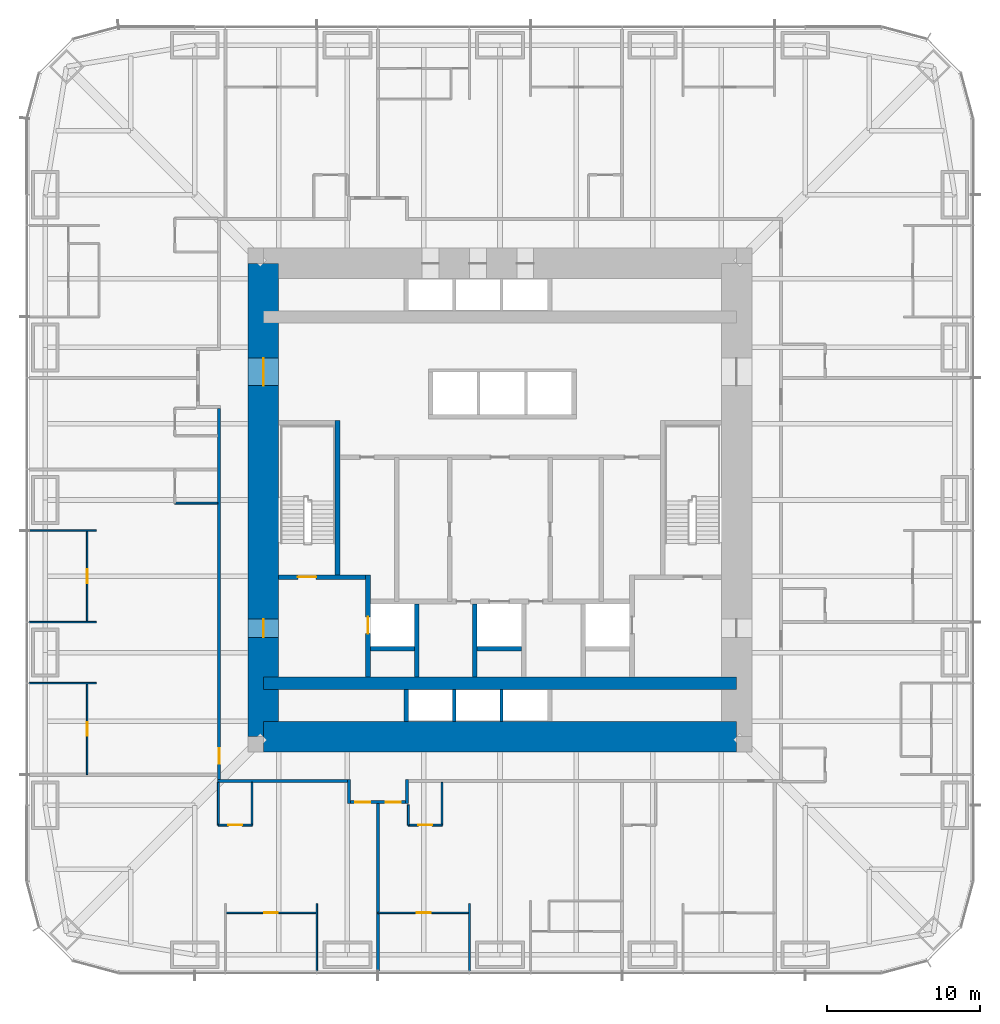
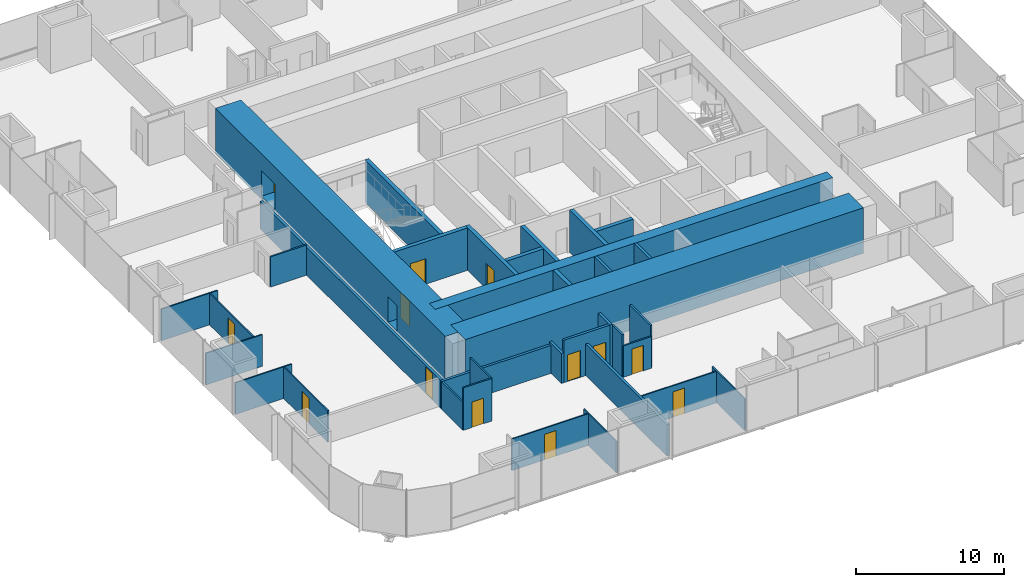
# One storey, part 12 of 17: 35 walls, 13 doors, 13 openings.
"""IFC4 building model written with IfcOpenShell, lengths in metres."""

from ifc_helpers import new_model, si_unit, direction, frame, frame_2d, origin, place, context, subcontext, project, spatial, rectangle, extrude, material, layer, layer_set, type_object, element, fill, save


model = new_model("IFC4")

# Units and contexts
model_context = context("Model", 3, precision=1e-05, world=origin(), true_north=direction((0.0, 1.0)))
body_context = subcontext(model_context, "Body", "Model", "MODEL_VIEW")
ifc_project = project(units=[si_unit("LENGTHUNIT", "METRE"), si_unit("AREAUNIT", "SQUARE_METRE"), si_unit("VOLUMEUNIT", "CUBIC_METRE"), si_unit("PLANEANGLEUNIT", "RADIAN"), si_unit("MASSUNIT", "GRAM", prefix="KILO")], contexts=[model_context])

# Site, building, storey
site_placement = place(None, origin())
site = spatial("IfcSite", under=ifc_project, at=site_placement, CompositionType="ELEMENT")
building_placement = place(site_placement, origin())
building = spatial("IfcBuilding", under=site, at=building_placement, Name="Khuree Lantern Residences", CompositionType="ELEMENT")
storey_placement = place(building_placement, frame((0.0, 0.0, 92.25)))
storey = spatial("IfcBuildingStorey", under=building, at=storey_placement, Name="L23", CompositionType="ELEMENT", Elevation=92.25)

# Wall
ifc_material_1 = material(Name="Moisture-resistant gypsum board on steel studs", Category="steel")
ifc_layer_1 = layer(ifc_material_1, 0.125)
ifc_layer_set_1 = layer_set([ifc_layer_1], Name="BATHROOM WALL BTW125")
wall_type_1 = type_object("IfcWallType", Name="BATHROOM WALL BTW125", PredefinedType="PARTITIONING", material=ifc_layer_set_1)
wall_1_placement = place(storey_placement, frame((-18.5, -0.199951171875, 0.0), z_axis=(0.0, 0.0, 1.0), x_axis=(-1.0, 0.0, 0.0)))
element("IfcWall", 1, at=wall_1_placement, inside=storey, type_object=wall_type_1, Name="L23 BATHROOM WALL 07", PredefinedType="PARTITIONING", context=body_context, shape_type="SweptSolid", body=[
    extrude(rectangle(XDim=2.800048828125, YDim=0.125, at=frame_2d((1.39990234375, 0.0))), origin(), (0.0, 0.0, 1.0), 2.491943359375),
])

# Wall, opening, door
wall_2_placement = place(storey_placement, frame((-18.449951171875, -21.300048828125, 0.0), z_axis=(0.0, 0.0, 1.0), x_axis=(1.0, 0.0, 0.0)))
wall_2 = element("IfcWall", 2, at=wall_2_placement, inside=storey, type_object=wall_type_1, Name="L23 BATHROOM WALL 08", PredefinedType="PARTITIONING", context=body_context, shape_type="SweptSolid", body=[
    extrude(rectangle(XDim=2.199951171875, YDim=0.125, at=frame_2d((1.10009765625, 0.0))), origin(), (0.0, 0.0, 1.0), 3.5),
])
opening_1_placement = place(wall_2_placement, frame((0.64990234375, 0.0, 0.0)))
opening_1 = element("IfcOpeningElement", 3, at=opening_1_placement, cuts=wall_2, Name="Opening 23-046", PredefinedType="OPENING", context=body_context, shape_type="SweptSolid", body=[
    extrude(rectangle(XDim=0.89990234375, YDim=2.10009765625, at=frame_2d((0.449951171875, 1.050048828125))), frame((0.0, 0.072509765625, 0.0), z_axis=(0.0, -1.0, 0.0), x_axis=(1.0, 0.0, 0.0)), (0.0, 0.0, 1.0), 0.14501953125),
])
ifc_material_2 = material(Name="Timber door leaf in hardwood frame", Category="wood")
door_type_1 = type_object("IfcDoorType", Name="BATHROOM DOOR 900X2100", OperationType="SINGLE_SWING_LEFT", PredefinedType="DOOR", material=ifc_material_2)
door_1_placement = place(opening_1_placement, origin())
door_1 = element("IfcDoor", 4, at=door_1_placement, inside=storey, type_object=door_type_1, Name="Bathroom door 23-046", OperationType="SINGLE_SWING_LEFT", OverallHeight=2.10009765625, OverallWidth=0.89990234375, PredefinedType="DOOR", context=body_context, shape_type="SweptSolid", body=[
    extrude(rectangle(XDim=0.89990234375, YDim=2.10009765625, at=frame_2d((0.449951171875, 1.050048828125))), frame((0.0, 0.02490234375, 0.0), z_axis=(0.0, -1.0, 0.0), x_axis=(1.0, 0.0, 0.0)), (0.0, 0.0, 1.0), 0.050048828125),
])
fill(opening_1, door_1)

# Walls
wall_3_placement = place(storey_placement, frame((-18.449951171875, -18.5, 0.0), z_axis=(0.0, 0.0, 1.0), x_axis=(0.0, -1.0, 0.0)))
element("IfcWall", 5, at=wall_3_placement, inside=storey, type_object=wall_type_1, Name="L23 BATHROOM WALL 08", PredefinedType="PARTITIONING", context=body_context, shape_type="SweptSolid", body=[
    extrude(rectangle(XDim=2.800048828125, YDim=0.125, at=frame_2d((1.39990234375, 0.0))), origin(), (0.0, 0.0, 1.0), 2.300048828125),
])
wall_4_placement = place(storey_placement, frame((-16.25, -18.5, 0.0), z_axis=(0.0, 0.0, 1.0), x_axis=(0.0, -1.0, 0.0)))
element("IfcWall", 6, at=wall_4_placement, inside=storey, type_object=wall_type_1, Name="L23 BATHROOM WALL 08", PredefinedType="PARTITIONING", context=body_context, shape_type="SweptSolid", body=[
    extrude(rectangle(XDim=2.800048828125, YDim=0.125, at=frame_2d((1.39990234375, 0.0))), origin(), (0.0, 0.0, 1.0), 3.5),
])

# Wall, opening, door
wall_5_placement = place(storey_placement, frame((-6.0, -21.300048828125, 0.0), z_axis=(0.0, 0.0, 1.0), x_axis=(1.0, 0.0, 0.0)))
wall_5 = element("IfcWall", 7, at=wall_5_placement, inside=storey, type_object=wall_type_1, Name="L23 BATHROOM WALL 09", PredefinedType="PARTITIONING", context=body_context, shape_type="SweptSolid", body=[
    extrude(rectangle(XDim=2.199951171875, YDim=0.125, at=frame_2d((1.10009765625, 0.0))), origin(), (0.0, 0.0, 1.0), 2.60009765625),
])
opening_2_placement = place(wall_5_placement, frame((0.64990234375, 0.0, 0.0)))
opening_2 = element("IfcOpeningElement", 8, at=opening_2_placement, cuts=wall_5, Name="Opening 23-051", PredefinedType="OPENING", context=body_context, shape_type="SweptSolid", body=[
    extrude(rectangle(XDim=0.89990234375, YDim=2.10009765625, at=frame_2d((0.449951171875, 1.050048828125))), frame((0.0, 0.072509765625, 0.0), z_axis=(0.0, -1.0, 0.0), x_axis=(1.0, 0.0, 0.0)), (0.0, 0.0, 1.0), 0.14501953125),
])
door_2_placement = place(opening_2_placement, origin())
door_2 = element("IfcDoor", 9, at=door_2_placement, inside=storey, type_object=door_type_1, Name="Bathroom door 23-051", OperationType="SINGLE_SWING_LEFT", OverallHeight=2.10009765625, OverallWidth=0.89990234375, PredefinedType="DOOR", context=body_context, shape_type="SweptSolid", body=[
    extrude(rectangle(XDim=0.89990234375, YDim=2.10009765625, at=frame_2d((0.449951171875, 1.050048828125))), frame((0.0, 0.02490234375, 0.0), z_axis=(0.0, -1.0, 0.0), x_axis=(1.0, 0.0, 0.0)), (0.0, 0.0, 1.0), 0.050048828125),
])
fill(opening_2, door_2)

# Walls
wall_6_placement = place(storey_placement, frame((-6.0, -19.969970703125, 0.0), z_axis=(0.0, 0.0, 1.0), x_axis=(0.0, -1.0, 0.0)))
element("IfcWall", 10, at=wall_6_placement, inside=storey, type_object=wall_type_1, Name="L23 BATHROOM WALL 09", PredefinedType="PARTITIONING", context=body_context, shape_type="SweptSolid", body=[
    extrude(rectangle(XDim=1.330078125, YDim=0.125, at=frame_2d((0.6650390625, 0.0))), origin(), (0.0, 0.0, 1.0), 3.5),
])
wall_7_placement = place(storey_placement, frame((-3.800048828125, -18.5, 0.0), z_axis=(0.0, 0.0, 1.0), x_axis=(0.0, -1.0, 0.0)))
element("IfcWall", 11, at=wall_7_placement, inside=storey, type_object=wall_type_1, Name="L23 BATHROOM WALL 09", PredefinedType="PARTITIONING", context=body_context, shape_type="SweptSolid", body=[
    extrude(rectangle(XDim=2.800048828125, YDim=0.125, at=frame_2d((1.39990234375, 0.0))), origin(), (0.0, 0.0, 1.0), 3.5),
])

# Wall, opening, door
ifc_material_3 = material(Name="Dense concrete blockwork", Category="masonry")
ifc_layer_2 = layer(ifc_material_3, 0.300048828125)
ifc_layer_set_2 = layer_set([ifc_layer_2], Name="CORE PARTITION WALL CPW300 EI 120")
wall_type_2 = type_object("IfcWallType", Name="CORE PARTITION WALL CPW300 EI 120", PredefinedType="PARTITIONING", material=ifc_layer_set_2)
wall_8_placement = place(storey_placement, frame((-8.64990234375, -11.60009765625, 0.0), z_axis=(0.0, 0.0, 1.0), x_axis=(0.0, 1.0, 0.0)))
wall_8 = element("IfcWall", 12, at=wall_8_placement, inside=storey, type_object=wall_type_2, Name="L23 CORE WALL FL1W", PredefinedType="PARTITIONING", context=body_context, shape_type="SweptSolid", body=[
    extrude(rectangle(XDim=6.7001953125, YDim=0.300048828125, at=frame_2d((3.35009765625, 0.0))), origin(), (0.0, 0.0, 1.0), 3.5),
])
opening_3_placement = place(wall_8_placement, frame((2.85009765625, 0.0, 0.0)))
opening_3 = element("IfcOpeningElement", 13, at=opening_3_placement, cuts=wall_8, Name="Opening 23-007", PredefinedType="OPENING", context=body_context, shape_type="SweptSolid", body=[
    extrude(rectangle(XDim=1.10009765625, YDim=2.10009765625, at=frame_2d((0.550048828125, 1.050048828125))), frame((0.0, 0.16015625, 0.0), z_axis=(0.0, -1.0, 0.0), x_axis=(1.0, 0.0, 0.0)), (0.0, 0.0, 1.0), 0.320068359375),
])
ifc_material_4 = material(Name="Stainless steel lift landing door", Category="steel")
door_type_2 = type_object("IfcDoorType", Name="LIFT LANDING DOOR 1100X2100 E 120", OperationType="DOUBLE_DOOR_SLIDING", PredefinedType="DOOR", material=ifc_material_4)
door_3_placement = place(opening_3_placement, origin())
door_3 = element("IfcDoor", 14, at=door_3_placement, inside=storey, type_object=door_type_2, Name="Landing door FL1 23-007", OperationType="DOUBLE_DOOR_SLIDING", OverallHeight=2.10009765625, OverallWidth=1.10009765625, PredefinedType="DOOR", context=body_context, shape_type="SweptSolid", body=[
    extrude(rectangle(XDim=1.10009765625, YDim=2.10009765625, at=frame_2d((0.550048828125, 1.050048828125))), frame((0.0, 0.02490234375, 0.0), z_axis=(0.0, -1.0, 0.0), x_axis=(1.0, 0.0, 0.0)), (0.0, 0.0, 1.0), 0.050048828125),
])
fill(opening_3, door_3)

# Walls
for number, where, z_axis, x_axis, name in (
    (15, (-5.449951171875, -11.60009765625, 0.0), (0.0, 0.0, 1.0), (0.0, 1.0, 0.0), "L23 CORE WALL FL1E"),
    (16, (-1.64990234375, -11.60009765625, 0.0), (0.0, 0.0, 1.0), (0.0, 1.0, 0.0), "L23 CORE WALL SL1W"),
):
    element("IfcWall", number, at=place(storey_placement, frame(where, z_axis=z_axis, x_axis=x_axis)), inside=storey, type_object=wall_type_2, Name=name, PredefinedType="PARTITIONING", context=body_context, shape_type="SweptSolid", body=[
        extrude(rectangle(XDim=4.800048828125, YDim=0.300048828125, at=frame_2d((2.39990234375, 0.0))), origin(), (0.0, 0.0, 1.0), 3.5),
    ])
for number, where, z_axis, x_axis, name in (
    (17, (-8.5, -9.75, 0.0), (0.0, 0.0, 1.0), (1.0, 0.0, 0.0), "L23 CORE WALL FL1S"),
    (18, (-1.5, -9.75, 0.0), (0.0, 0.0, 1.0), (1.0, 0.0, 0.0), "L23 CORE WALL SL1S"),
):
    element("IfcWall", number, at=place(storey_placement, frame(where, z_axis=z_axis, x_axis=x_axis)), inside=storey, type_object=wall_type_2, Name=name, PredefinedType="PARTITIONING", context=body_context, shape_type="SweptSolid", body=[
        extrude(rectangle(XDim=2.89990234375, YDim=0.300048828125, at=frame_2d((1.449951171875, 0.0))), origin(), (0.0, 0.0, 1.0), 3.5),
    ])
wall_9_placement = place(storey_placement, frame((-6.14990234375, -14.5, 0.0), z_axis=(0.0, 0.0, 1.0), x_axis=(0.0, 1.0, 0.0)))
element("IfcWall", 19, at=wall_9_placement, inside=storey, type_object=wall_type_2, Name="L23 CORE WALL PMW", PredefinedType="PARTITIONING", context=body_context, shape_type="SweptSolid", body=[
    extrude(rectangle(XDim=2.10009765625, YDim=0.300048828125, at=frame_2d((1.050048828125, 0.0))), origin(), (0.0, 0.0, 1.0), 3.5),
])

# Wall, opening, door
ifc_material_5 = material(Name="Gypsum board on steel studs", Category="steel")
ifc_layer_3 = layer(ifc_material_5, 0.199951171875)
ifc_layer_set_3 = layer_set([ifc_layer_3], Name="CORRIDOR WALL CRW200 EI 60")
wall_type_3 = type_object("IfcWallType", Name="CORRIDOR WALL CRW200 EI 60", PredefinedType="PARTITIONING", material=ifc_layer_set_3)
wall_10_placement = place(storey_placement, frame((-18.39990234375, 6.0, 0.0), z_axis=(0.0, 0.0, 1.0), x_axis=(0.0, -1.0, 0.0)))
wall_10 = element("IfcWall", 20, at=wall_10_placement, inside=storey, type_object=wall_type_3, Name="L23 CORRIDOR WALL WEST 2", PredefinedType="PARTITIONING", context=body_context, shape_type="SweptSolid", body=[
    extrude(rectangle(XDim=24.300048828125, YDim=0.199951171875, at=frame_2d((12.14990234375, 0.0))), origin(), (0.0, 0.0, 1.0), 2.300048828125),
])
opening_4_placement = place(wall_10_placement, frame((22.27001953125, 0.0, 0.0)))
opening_4 = element("IfcOpeningElement", 21, at=opening_4_placement, cuts=wall_10, Name="Opening 23-044", PredefinedType="OPENING", context=body_context, shape_type="SweptSolid", body=[
    extrude(rectangle(XDim=1.0, YDim=2.199951171875, at=frame_2d((0.5, 1.10009765625))), frame((0.0, 0.10986328125, 0.0), z_axis=(0.0, -1.0, 0.0), x_axis=(1.0, 0.0, 0.0)), (0.0, 0.0, 1.0), 0.219970703125),
])
door_type_3 = type_object("IfcDoorType", Name="APARTMENT ENTRANCE DOOR 1000X2200 EI 30S RIGHT HAND", OperationType="SINGLE_SWING_RIGHT", PredefinedType="DOOR", material=ifc_material_2)
door_4_placement = place(opening_4_placement, origin())
door_4 = element("IfcDoor", 22, at=door_4_placement, inside=storey, type_object=door_type_3, Name="Apartment 07 entrance door 23-044", OperationType="SINGLE_SWING_RIGHT", OverallHeight=2.199951171875, OverallWidth=1.0, PredefinedType="DOOR", context=body_context, shape_type="SweptSolid", body=[
    extrude(rectangle(XDim=1.0, YDim=2.199951171875, at=frame_2d((0.5, 1.10009765625))), frame((0.0, 0.02490234375, 0.0), z_axis=(0.0, -1.0, 0.0), x_axis=(1.0, 0.0, 0.0)), (0.0, 0.0, 1.0), 0.050048828125),
])
fill(opening_4, door_4)

# Walls
wall_11_placement = place(storey_placement, frame((-6.10009765625, -18.300048828125, 0.0), z_axis=(0.0, 0.0, 1.0), x_axis=(0.0, -1.0, 0.0)))
element("IfcWall", 23, at=wall_11_placement, inside=storey, type_object=wall_type_3, Name="L23 CORRIDOR ALCOVE WALL SOUTH", PredefinedType="PARTITIONING", context=body_context, shape_type="SweptSolid", body=[
    extrude(rectangle(XDim=1.599853515625, YDim=0.199951171875, at=frame_2d((0.7998046875, 0.0))), origin(), (0.0, 0.0, 1.0), 3.5),
])
wall_12_placement = place(storey_placement, frame((-9.89990234375, -18.300048828125, 0.0), z_axis=(0.0, 0.0, 1.0), x_axis=(0.0, -1.0, 0.0)))
element("IfcWall", 24, at=wall_12_placement, inside=storey, type_object=wall_type_3, Name="L23 CORRIDOR ALCOVE WALL SOUTH", PredefinedType="PARTITIONING", context=body_context, shape_type="SweptSolid", body=[
    extrude(rectangle(XDim=1.599853515625, YDim=0.199951171875, at=frame_2d((0.7998046875, 0.0))), origin(), (0.0, 0.0, 1.0), 2.491943359375),
])

# Wall, openings, doors
wall_13_placement = place(storey_placement, frame((-6.199951171875, -19.800048828125, 0.0), z_axis=(0.0, 0.0, 1.0), x_axis=(-1.0, 0.0, 0.0)))
wall_13 = element("IfcWall", 25, at=wall_13_placement, inside=storey, type_object=wall_type_3, Name="L23 CORRIDOR ALCOVE WALL SOUTH", PredefinedType="PARTITIONING", context=body_context, shape_type="SweptSolid", body=[
    extrude(rectangle(XDim=3.60009765625, YDim=0.199951171875, at=frame_2d((1.800048828125, 0.0))), origin(), (0.0, 0.0, 1.0), 3.5),
])
opening_5_placement = place(wall_13_placement, frame((2.300048828125, 0.0, 0.0)))
opening_5 = element("IfcOpeningElement", 26, at=opening_5_placement, cuts=wall_13, Name="Opening 23-047", PredefinedType="OPENING", context=body_context, shape_type="SweptSolid", body=[
    extrude(rectangle(XDim=1.0, YDim=2.199951171875, at=frame_2d((0.5, 1.10009765625))), frame((0.0, 0.10986328125, 0.0), z_axis=(0.0, -1.0, 0.0), x_axis=(1.0, 0.0, 0.0)), (0.0, 0.0, 1.0), 0.219970703125),
])
opening_6_placement = place(wall_13_placement, frame((0.300048828125, 0.0, 0.0)))
opening_6 = element("IfcOpeningElement", 27, at=opening_6_placement, cuts=wall_13, Name="Opening 23-052", PredefinedType="OPENING", context=body_context, shape_type="SweptSolid", body=[
    extrude(rectangle(XDim=1.0, YDim=2.199951171875, at=frame_2d((0.5, 1.10009765625))), frame((0.0, 0.10986328125, 0.0), z_axis=(0.0, -1.0, 0.0), x_axis=(1.0, 0.0, 0.0)), (0.0, 0.0, 1.0), 0.219970703125),
])
door_type_4 = type_object("IfcDoorType", Name="APARTMENT ENTRANCE DOOR 1000X2200 EI 30S", OperationType="SINGLE_SWING_LEFT", PredefinedType="DOOR", material=ifc_material_2)
door_5_placement = place(opening_5_placement, origin())
door_5 = element("IfcDoor", 28, at=door_5_placement, inside=storey, type_object=door_type_4, Name="Apartment 08 entrance door 23-047", OperationType="SINGLE_SWING_LEFT", OverallHeight=2.199951171875, OverallWidth=1.0, PredefinedType="DOOR", context=body_context, shape_type="SweptSolid", body=[
    extrude(rectangle(XDim=1.0, YDim=2.199951171875, at=frame_2d((0.5, 1.10009765625))), frame((0.0, 0.02490234375, 0.0), z_axis=(0.0, -1.0, 0.0), x_axis=(1.0, 0.0, 0.0)), (0.0, 0.0, 1.0), 0.050048828125),
])
fill(opening_5, door_5)
door_6_placement = place(opening_6_placement, origin())
door_6 = element("IfcDoor", 29, at=door_6_placement, inside=storey, type_object=door_type_4, Name="Apartment 09 entrance door 23-052", OperationType="SINGLE_SWING_LEFT", OverallHeight=2.199951171875, OverallWidth=1.0, PredefinedType="DOOR", context=body_context, shape_type="SweptSolid", body=[
    extrude(rectangle(XDim=1.0, YDim=2.199951171875, at=frame_2d((0.5, 1.10009765625))), frame((0.0, 0.02490234375, 0.0), z_axis=(0.0, -1.0, 0.0), x_axis=(1.0, 0.0, 0.0)), (0.0, 0.0, 1.0), 0.050048828125),
])
fill(opening_6, door_6)

# Walls
wall_14_placement = place(storey_placement, frame((-10.0, -18.39990234375, 0.0), z_axis=(0.0, 0.0, 1.0), x_axis=(-1.0, 0.0, 0.0)))
element("IfcWall", 30, at=wall_14_placement, inside=storey, type_object=wall_type_3, Name="L23 CORRIDOR WALL SOUTH 2", PredefinedType="PARTITIONING", context=body_context, shape_type="SweptSolid", body=[
    extrude(rectangle(XDim=8.5, YDim=0.199951171875, at=frame_2d((4.25, 0.0))), origin(), (0.0, 0.0, 1.0), 2.300048828125),
])
ifc_material_6 = material(Name="Concrete C70/85", Category="concrete")
ifc_layer_4 = layer(ifc_material_6, 2.0)
ifc_layer_set_4 = layer_set([ifc_layer_4], Name="CW2000-C70 CORE WALL C70 2000")
wall_type_4 = type_object("IfcWallType", Name="CW2000-C70 CORE WALL C70 2000", PredefinedType="SHEAR", material=ifc_layer_set_4)
wall_15_placement = place(storey_placement, frame((-15.5, -15.5, -0.25), z_axis=(0.0, 0.0, 1.0), x_axis=(1.0, 0.0, 0.0)))
element("IfcWall", 31, at=wall_15_placement, inside=storey, type_object=wall_type_4, Name="Core wall S", PredefinedType="SHEAR", context=body_context, shape_type="SweptSolid", body=[
    extrude(rectangle(XDim=31.0, YDim=2.0, at=frame_2d((15.5, 0.0))), origin(), (0.0, 0.0, 1.0), 3.75),
])

# Wall, openings, doors
wall_16_placement = place(storey_placement, frame((-15.5, -15.5, -0.25), z_axis=(0.0, 0.0, 1.0), x_axis=(0.0, 1.0, 0.0)))
wall_16 = element("IfcWall", 32, at=wall_16_placement, inside=storey, type_object=wall_type_4, Name="Core wall W", PredefinedType="SHEAR", context=body_context, shape_type="SweptSolid", body=[
    extrude(rectangle(XDim=31.0, YDim=2.0, at=frame_2d((15.5, 0.0))), origin(), (0.0, 0.0, 1.0), 3.75),
])
opening_7_placement = place(wall_16_placement, frame((6.5, 0.0, 0.25)))
opening_7 = element("IfcOpeningElement", 33, at=opening_7_placement, cuts=wall_16, Name="Opening 23-002", PredefinedType="OPENING", context=body_context, shape_type="SweptSolid", body=[
    extrude(rectangle(XDim=1.199951171875, YDim=2.10009765625, at=frame_2d((0.60009765625, 1.050048828125))), frame((0.0, 1.010009765625, 0.0), z_axis=(0.0, -1.0, 0.0), x_axis=(1.0, 0.0, 0.0)), (0.0, 0.0, 1.0), 2.02001953125),
])
opening_8_placement = place(wall_16_placement, frame((23.0, 0.0, 0.25)))
opening_8 = element("IfcOpeningElement", 34, at=opening_8_placement, cuts=wall_16, Name="Opening 23-003", PredefinedType="OPENING", context=body_context, shape_type="SweptSolid", body=[
    extrude(rectangle(XDim=1.800048828125, YDim=2.10009765625, at=frame_2d((0.89990234375, 1.050048828125))), frame((0.0, 1.010009765625, 0.0), z_axis=(0.0, -1.0, 0.0), x_axis=(1.0, 0.0, 0.0)), (0.0, 0.0, 1.0), 2.02001953125),
])
ifc_material_7 = material(Name="Steel door leaf in steel frame", Category="steel")
door_type_5 = type_object("IfcDoorType", Name="LOBBY DOOR 1200X2100 EI 120", OperationType="SINGLE_SWING_LEFT", PredefinedType="DOOR", material=ifc_material_7)
door_7_placement = place(opening_7_placement, origin())
door_7 = element("IfcDoor", 35, at=door_7_placement, inside=storey, type_object=door_type_5, Name="Firefighting lobby door 23-002", OperationType="SINGLE_SWING_LEFT", OverallHeight=2.10009765625, OverallWidth=1.199951171875, PredefinedType="DOOR", context=body_context, shape_type="SweptSolid", body=[
    extrude(rectangle(XDim=1.199951171875, YDim=2.10009765625, at=frame_2d((0.60009765625, 1.050048828125))), frame((0.0, 0.02490234375, 0.0), z_axis=(0.0, -1.0, 0.0), x_axis=(1.0, 0.0, 0.0)), (0.0, 0.0, 1.0), 0.050048828125),
])
fill(opening_7, door_7)
door_type_6 = type_object("IfcDoorType", Name="LOBBY DOUBLE DOOR 1800X2100 EI 60", OperationType="DOUBLE_DOOR_SINGLE_SWING", PredefinedType="DOOR", material=ifc_material_7)
door_8_placement = place(opening_8_placement, origin())
door_8 = element("IfcDoor", 36, at=door_8_placement, inside=storey, type_object=door_type_6, Name="Lift lobby door 23-003", OperationType="DOUBLE_DOOR_SINGLE_SWING", OverallHeight=2.10009765625, OverallWidth=1.800048828125, PredefinedType="DOOR", context=body_context, shape_type="SweptSolid", body=[
    extrude(rectangle(XDim=1.800048828125, YDim=2.10009765625, at=frame_2d((0.89990234375, 1.050048828125))), frame((0.0, 0.02490234375, 0.0), z_axis=(0.0, -1.0, 0.0), x_axis=(1.0, 0.0, 0.0)), (0.0, 0.0, 1.0), 0.050048828125),
])
fill(opening_8, door_8)

# Walls
ifc_layer_5 = layer(ifc_material_5, 0.199951171875)
ifc_layer_set_5 = layer_set([ifc_layer_5], Name="DEMISING WALL DMW200 EI 90")
wall_type_5 = type_object("IfcWallType", Name="DEMISING WALL DMW200 EI 90", PredefinedType="PARTITIONING", material=ifc_layer_set_5)
wall_17_placement = place(storey_placement, frame((-8.0, -19.89990234375, 0.0), z_axis=(0.0, 0.0, 1.0), x_axis=(0.0, -1.0, 0.0)))
element("IfcWall", 37, at=wall_17_placement, inside=storey, type_object=wall_type_5, Name="L23 DEMISING WALL 09", PredefinedType="PARTITIONING", context=body_context, shape_type="SweptSolid", body=[
    extrude(rectangle(XDim=10.9501953125, YDim=0.199951171875, at=frame_2d((5.47509765625, 0.0))), origin(), (0.0, 0.0, 1.0), 2.610107421875),
])
ifc_layer_6 = layer(ifc_material_5, 0.10009765625)
ifc_layer_set_6 = layer_set([ifc_layer_6], Name="PARTITION PT100")
wall_type_6 = type_object("IfcWallType", Name="PARTITION PT100", PredefinedType="PARTITIONING", material=ifc_layer_set_6)
for number, where, z_axis, x_axis, name in (
    (38, (-26.449951171875, -2.0, 0.0), (0.0, 0.0, 1.0), (-1.0, 0.0, 0.0), "L23 PARTITION 07"),
    (39, (-26.449951171875, -8.0, 0.0), (0.0, 0.0, 1.0), (-1.0, 0.0, 0.0), "L23 PARTITION 07"),
    (40, (-26.449951171875, -12.0, 0.0), (0.0, 0.0, 1.0), (-1.0, 0.0, 0.0), "L23 PARTITION 07"),
    (41, (-12.0, -26.449951171875, 0.0), (0.0, 0.0, 1.0), (0.0, -1.0, 0.0), "L23 PARTITION 08"),
    (42, (-2.0, -26.449951171875, 0.0), (0.0, 0.0, 1.0), (0.0, -1.0, 0.0), "L23 PARTITION 09"),
):
    element("IfcWall", number, at=place(storey_placement, frame(where, z_axis=z_axis, x_axis=x_axis)), inside=storey, type_object=wall_type_6, Name=name, PredefinedType="PARTITIONING", context=body_context, shape_type="SweptSolid", body=[
        extrude(rectangle(XDim=4.400146484375, YDim=0.10009765625, at=frame_2d((2.2001953125, 0.0))), origin(), (0.0, 0.0, 1.0), 2.610107421875),
    ])

# Wall, opening, door
wall_18_placement = place(storey_placement, frame((-27.050048828125, -2.0, 0.0), z_axis=(0.0, 0.0, 1.0), x_axis=(0.0, -1.0, 0.0)))
wall_18 = element("IfcWall", 43, at=wall_18_placement, inside=storey, type_object=wall_type_6, Name="L23 PARTITION 07", PredefinedType="PARTITIONING", context=body_context, shape_type="SweptSolid", body=[
    extrude(rectangle(XDim=6.0, YDim=0.10009765625, at=frame_2d((3.0, 0.0))), origin(), (0.0, 0.0, 1.0), 2.60009765625),
])
opening_9_placement = place(wall_18_placement, frame((2.550048828125, 0.0, 0.0)))
opening_9 = element("IfcOpeningElement", 44, at=opening_9_placement, cuts=wall_18, Name="Opening 23-041", PredefinedType="OPENING", context=body_context, shape_type="SweptSolid", body=[
    extrude(rectangle(XDim=0.89990234375, YDim=2.10009765625, at=frame_2d((0.449951171875, 1.050048828125))), frame((0.0, 0.06005859375, 0.0), z_axis=(0.0, -1.0, 0.0), x_axis=(1.0, 0.0, 0.0)), (0.0, 0.0, 1.0), 0.1201171875),
])
door_type_7 = type_object("IfcDoorType", Name="BEDROOM DOOR 900X2100", OperationType="SINGLE_SWING_LEFT", PredefinedType="DOOR", material=ifc_material_2)
door_9_placement = place(opening_9_placement, origin())
door_9 = element("IfcDoor", 45, at=door_9_placement, inside=storey, type_object=door_type_7, Name="Bedroom door 23-041", OperationType="SINGLE_SWING_LEFT", OverallHeight=2.10009765625, OverallWidth=0.89990234375, PredefinedType="DOOR", context=body_context, shape_type="SweptSolid", body=[
    extrude(rectangle(XDim=0.89990234375, YDim=2.10009765625, at=frame_2d((0.449951171875, 1.050048828125))), frame((0.0, 0.02490234375, 0.0), z_axis=(0.0, -1.0, 0.0), x_axis=(1.0, 0.0, 0.0)), (0.0, 0.0, 1.0), 0.050048828125),
])
fill(opening_9, door_9)

wall_19_placement = place(storey_placement, frame((-27.050048828125, -12.0, 0.0), z_axis=(0.0, 0.0, 1.0), x_axis=(0.0, -1.0, 0.0)))
wall_19 = element("IfcWall", 46, at=wall_19_placement, inside=storey, type_object=wall_type_6, Name="L23 PARTITION 07", PredefinedType="PARTITIONING", context=body_context, shape_type="SweptSolid", body=[
    extrude(rectangle(XDim=6.0, YDim=0.10009765625, at=frame_2d((3.0, 0.0))), origin(), (0.0, 0.0, 1.0), 2.60009765625),
])
opening_10_placement = place(wall_19_placement, frame((2.550048828125, 0.0, 0.0)))
opening_10 = element("IfcOpeningElement", 47, at=opening_10_placement, cuts=wall_19, Name="Opening 23-042", PredefinedType="OPENING", context=body_context, shape_type="SweptSolid", body=[
    extrude(rectangle(XDim=0.89990234375, YDim=2.10009765625, at=frame_2d((0.449951171875, 1.050048828125))), frame((0.0, 0.06005859375, 0.0), z_axis=(0.0, -1.0, 0.0), x_axis=(1.0, 0.0, 0.0)), (0.0, 0.0, 1.0), 0.1201171875),
])
door_type_8 = type_object("IfcDoorType", Name="BEDROOM DOOR 900X2100 RIGHT HAND", OperationType="SINGLE_SWING_RIGHT", PredefinedType="DOOR", material=ifc_material_2)
door_10_placement = place(opening_10_placement, origin())
door_10 = element("IfcDoor", 48, at=door_10_placement, inside=storey, type_object=door_type_8, Name="Bedroom door 23-042", OperationType="SINGLE_SWING_RIGHT", OverallHeight=2.10009765625, OverallWidth=0.89990234375, PredefinedType="DOOR", context=body_context, shape_type="SweptSolid", body=[
    extrude(rectangle(XDim=0.89990234375, YDim=2.10009765625, at=frame_2d((0.449951171875, 1.050048828125))), frame((0.0, 0.02490234375, 0.0), z_axis=(0.0, -1.0, 0.0), x_axis=(1.0, 0.0, 0.0)), (0.0, 0.0, 1.0), 0.050048828125),
])
fill(opening_10, door_10)

wall_20_placement = place(storey_placement, frame((-18.0, -27.050048828125, 0.0), z_axis=(0.0, 0.0, 1.0), x_axis=(1.0, 0.0, 0.0)))
wall_20 = element("IfcWall", 49, at=wall_20_placement, inside=storey, type_object=wall_type_6, Name="L23 PARTITION 08", PredefinedType="PARTITIONING", context=body_context, shape_type="SweptSolid", body=[
    extrude(rectangle(XDim=6.0, YDim=0.10009765625, at=frame_2d((3.0, 0.0))), origin(), (0.0, 0.0, 1.0), 2.60009765625),
])
opening_11_placement = place(wall_20_placement, frame((2.550048828125, 0.0, 0.0)))
opening_11 = element("IfcOpeningElement", 50, at=opening_11_placement, cuts=wall_20, Name="Opening 23-045", PredefinedType="OPENING", context=body_context, shape_type="SweptSolid", body=[
    extrude(rectangle(XDim=0.89990234375, YDim=2.10009765625, at=frame_2d((0.449951171875, 1.050048828125))), frame((0.0, 0.06005859375, 0.0), z_axis=(0.0, -1.0, 0.0), x_axis=(1.0, 0.0, 0.0)), (0.0, 0.0, 1.0), 0.1201171875),
])
door_11_placement = place(opening_11_placement, origin())
door_11 = element("IfcDoor", 51, at=door_11_placement, inside=storey, type_object=door_type_7, Name="Bedroom door 23-045", OperationType="SINGLE_SWING_LEFT", OverallHeight=2.10009765625, OverallWidth=0.89990234375, PredefinedType="DOOR", context=body_context, shape_type="SweptSolid", body=[
    extrude(rectangle(XDim=0.89990234375, YDim=2.10009765625, at=frame_2d((0.449951171875, 1.050048828125))), frame((0.0, 0.02490234375, 0.0), z_axis=(0.0, -1.0, 0.0), x_axis=(1.0, 0.0, 0.0)), (0.0, 0.0, 1.0), 0.050048828125),
])
fill(opening_11, door_11)

wall_21_placement = place(storey_placement, frame((-8.0, -27.050048828125, 0.0), z_axis=(0.0, 0.0, 1.0), x_axis=(1.0, 0.0, 0.0)))
wall_21 = element("IfcWall", 52, at=wall_21_placement, inside=storey, type_object=wall_type_6, Name="L23 PARTITION 09", PredefinedType="PARTITIONING", context=body_context, shape_type="SweptSolid", body=[
    extrude(rectangle(XDim=6.0, YDim=0.10009765625, at=frame_2d((3.0, 0.0))), origin(), (0.0, 0.0, 1.0), 2.60009765625),
])
opening_12_placement = place(wall_21_placement, frame((2.550048828125, 0.0, 0.0)))
opening_12 = element("IfcOpeningElement", 53, at=opening_12_placement, cuts=wall_21, Name="Opening 23-048", PredefinedType="OPENING", context=body_context, shape_type="SweptSolid", body=[
    extrude(rectangle(XDim=0.89990234375, YDim=2.10009765625, at=frame_2d((0.449951171875, 1.050048828125))), frame((0.0, 0.06005859375, 0.0), z_axis=(0.0, -1.0, 0.0), x_axis=(1.0, 0.0, 0.0)), (0.0, 0.0, 1.0), 0.1201171875),
])
door_12_placement = place(opening_12_placement, origin())
door_12 = element("IfcDoor", 54, at=door_12_placement, inside=storey, type_object=door_type_7, Name="Bedroom door 23-048", OperationType="SINGLE_SWING_LEFT", OverallHeight=2.10009765625, OverallWidth=0.89990234375, PredefinedType="DOOR", context=body_context, shape_type="SweptSolid", body=[
    extrude(rectangle(XDim=0.89990234375, YDim=2.10009765625, at=frame_2d((0.449951171875, 1.050048828125))), frame((0.0, 0.02490234375, 0.0), z_axis=(0.0, -1.0, 0.0), x_axis=(1.0, 0.0, 0.0)), (0.0, 0.0, 1.0), 0.050048828125),
])
fill(opening_12, door_12)

# Walls
ifc_layer_7 = layer(ifc_material_3, 0.199951171875)
ifc_layer_set_7 = layer_set([ifc_layer_7], Name="SHAFT WALL SHW200 EI 120")
wall_type_7 = type_object("IfcWallType", Name="SHAFT WALL SHW200 EI 120", PredefinedType="PARTITIONING", material=ifc_layer_set_7)
for number, where, z_axis, x_axis, name in (
    (55, (-3.0, -14.5, 0.0), (0.0, 0.0, 1.0), (0.0, 1.0, 0.0), "L23 CORE WALL PMD1"),
    (56, (0.10009765625, -14.5, 0.0), (0.0, 0.0, 1.0), (0.0, 1.0, 0.0), "L23 CORE WALL PMD2"),
):
    element("IfcWall", number, at=place(storey_placement, frame(where, z_axis=z_axis, x_axis=x_axis)), inside=storey, type_object=wall_type_7, Name=name, PredefinedType="PARTITIONING", context=body_context, shape_type="SweptSolid", body=[
        extrude(rectangle(XDim=2.10009765625, YDim=0.199951171875, at=frame_2d((1.050048828125, 0.0))), origin(), (0.0, 0.0, 1.0), 3.5),
    ])
ifc_layer_8 = layer(ifc_material_6, 0.800048828125)
ifc_layer_set_8 = layer_set([ifc_layer_8], Name="SP800-C70 CORE SPINE WALL C70 800")
wall_type_8 = type_object("IfcWallType", Name="SP800-C70 CORE SPINE WALL C70 800", PredefinedType="SHEAR", material=ifc_layer_set_8)
wall_22_placement = place(storey_placement, frame((-15.5, -12.0, -0.25), z_axis=(0.0, 0.0, 1.0), x_axis=(1.0, 0.0, 0.0)))
element("IfcWall", 57, at=wall_22_placement, inside=storey, type_object=wall_type_8, Name="Core wall SPS", PredefinedType="SHEAR", context=body_context, shape_type="SweptSolid", body=[
    extrude(rectangle(XDim=31.0, YDim=0.800048828125, at=frame_2d((15.5, 0.0))), origin(), (0.0, 0.0, 1.0), 3.75),
])
ifc_material_8 = material(Name="Concrete C50/60", Category="concrete")
ifc_layer_9 = layer(ifc_material_8, 0.300048828125)
ifc_layer_set_9 = layer_set([ifc_layer_9], Name="STAIR WALL SRW300 C50/60 REI 240")
wall_type_9 = type_object("IfcWallType", Name="STAIR WALL SRW300 C50/60 REI 240", PredefinedType="SOLIDWALL", material=ifc_layer_set_9)
wall_23_placement = place(storey_placement, frame((-10.64990234375, -4.89990234375, 0.0), z_axis=(0.0, 0.0, 1.0), x_axis=(0.0, 1.0, 0.0)))
element("IfcWall", 58, at=wall_23_placement, inside=storey, type_object=wall_type_9, Name="L23 STAIR WALL ST1E", PredefinedType="SOLIDWALL", context=body_context, shape_type="SweptSolid", body=[
    extrude(rectangle(XDim=10.099853515625, YDim=0.300048828125, at=frame_2d((5.0498046875, 0.0))), origin(), (0.0, 0.0, 1.0), 3.5),
])

# Wall, opening, door
wall_24_placement = place(storey_placement, frame((-14.5, -5.050048828125, 0.0), z_axis=(0.0, 0.0, 1.0), x_axis=(1.0, 0.0, 0.0)))
wall_24 = element("IfcWall", 59, at=wall_24_placement, inside=storey, type_object=wall_type_9, Name="L23 STAIR WALL ST1S", PredefinedType="SOLIDWALL", context=body_context, shape_type="SweptSolid", body=[
    extrude(rectangle(XDim=5.699951171875, YDim=0.300048828125, at=frame_2d((2.85009765625, 0.0))), origin(), (0.0, 0.0, 1.0), 3.5),
])
opening_13_placement = place(wall_24_placement, frame((1.25, 0.0, 0.0)))
opening_13 = element("IfcOpeningElement", 60, at=opening_13_placement, cuts=wall_24, Name="Opening 23-001", PredefinedType="OPENING", context=body_context, shape_type="SweptSolid", body=[
    extrude(rectangle(XDim=1.199951171875, YDim=2.10009765625, at=frame_2d((0.60009765625, 1.050048828125))), frame((0.0, 0.16015625, 0.0), z_axis=(0.0, -1.0, 0.0), x_axis=(1.0, 0.0, 0.0)), (0.0, 0.0, 1.0), 0.320068359375),
])
door_type_9 = type_object("IfcDoorType", Name="STAIR DOOR 1200X2100 EI 120", OperationType="SINGLE_SWING_LEFT", PredefinedType="DOOR", material=ifc_material_7)
door_13_placement = place(opening_13_placement, origin())
door_13 = element("IfcDoor", 61, at=door_13_placement, inside=storey, type_object=door_type_9, Name="Stair ST1 door 23-001", OperationType="SINGLE_SWING_LEFT", OverallHeight=2.10009765625, OverallWidth=1.199951171875, PredefinedType="DOOR", context=body_context, shape_type="SweptSolid", body=[
    extrude(rectangle(XDim=1.199951171875, YDim=2.10009765625, at=frame_2d((0.60009765625, 1.050048828125))), frame((0.0, 0.02490234375, 0.0), z_axis=(0.0, -1.0, 0.0), x_axis=(1.0, 0.0, 0.0)), (0.0, 0.0, 1.0), 0.050048828125),
])
fill(opening_13, door_13)

save(model, "model.ifc")
